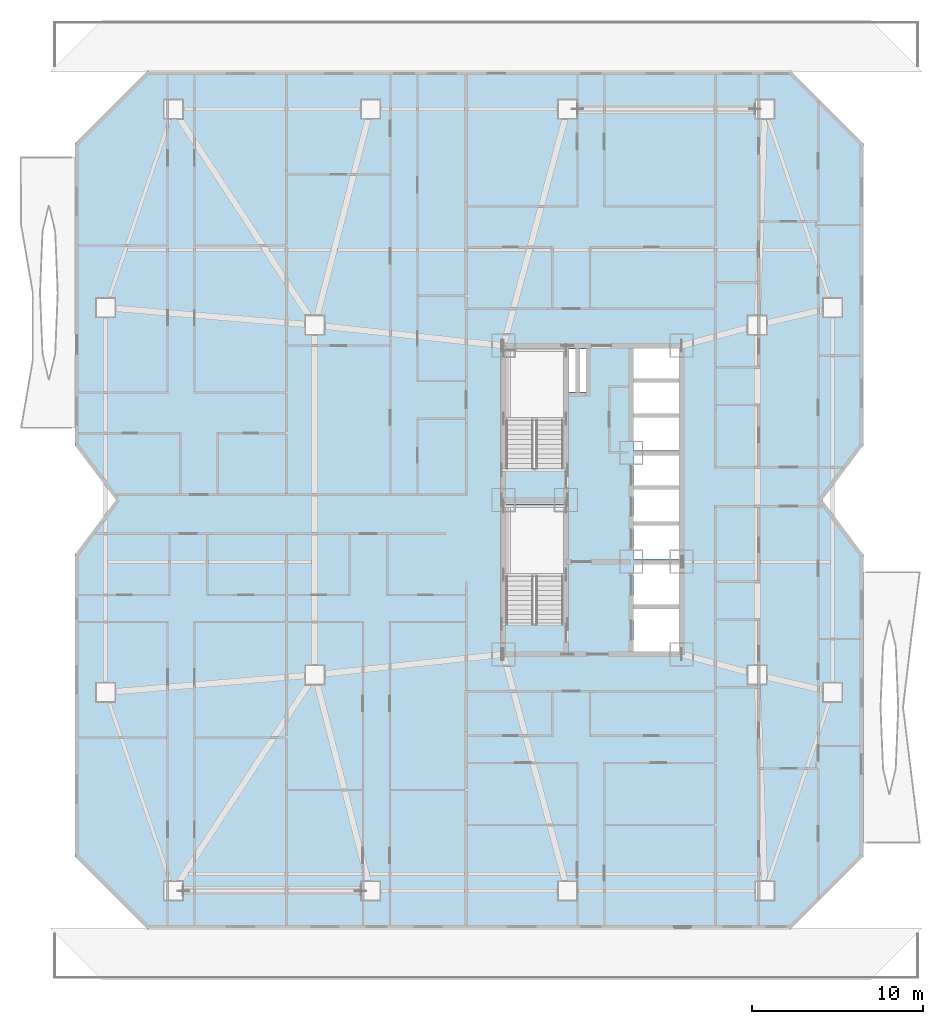
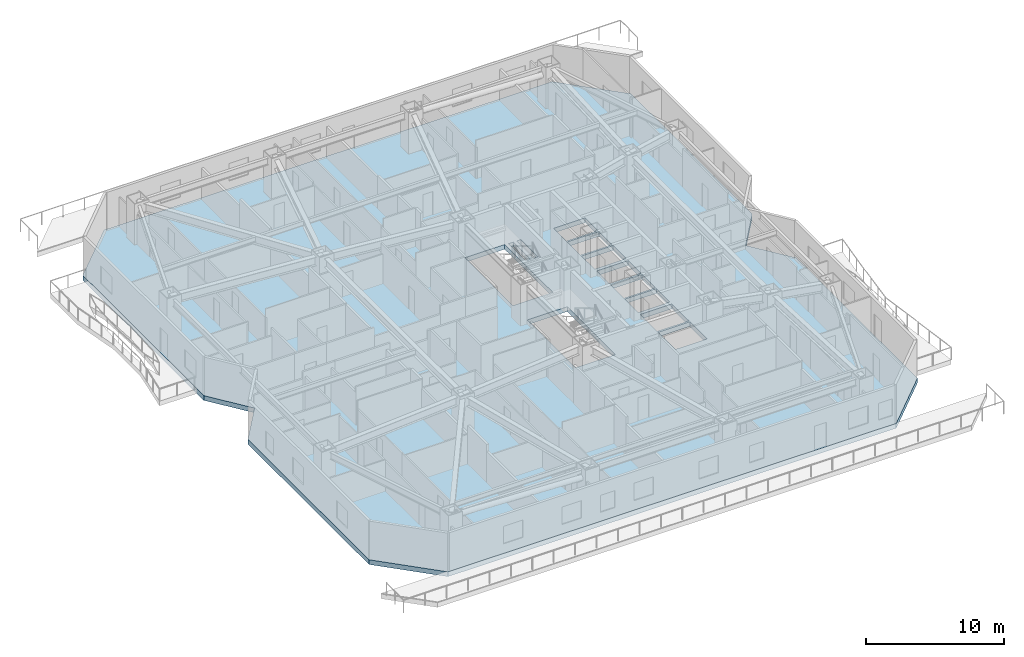
# One storey, part 4 of 18: 1 slab.
"""IFC4 building model written with IfcOpenShell, lengths in metres."""

from ifc_helpers import new_model, si_unit, direction, frame, origin, place, context, subcontext, project, spatial, polyline, outline, extrude, material, layer, layer_set, type_object, element, save


model = new_model("IFC4")

# Units and contexts
model_context = context("Model", 3, precision=1e-05, world=origin(), true_north=direction((0.0, 1.0)))
body_context = subcontext(model_context, "Body", "Model", "MODEL_VIEW")
ifc_project = project(units=[si_unit("LENGTHUNIT", "METRE"), si_unit("AREAUNIT", "SQUARE_METRE"), si_unit("VOLUMEUNIT", "CUBIC_METRE"), si_unit("PLANEANGLEUNIT", "RADIAN"), si_unit("MASSUNIT", "GRAM", prefix="KILO")], contexts=[model_context])

# Site, building, storey
site_placement = place(None, origin())
site = spatial("IfcSite", under=ifc_project, at=site_placement, CompositionType="ELEMENT")
building_placement = place(site_placement, origin())
building = spatial("IfcBuilding", under=site, at=building_placement, Name="Khamvora Tower", CompositionType="ELEMENT")
storey_placement = place(building_placement, frame((0.0, 0.0, 33.300048828125)))
storey = spatial("IfcBuildingStorey", under=building, at=storey_placement, Name="L07", CompositionType="ELEMENT", Elevation=33.300048828125)

# Slab
ifc_material = material(Name="Concrete C40/50", Category="concrete")
ifc_layer = layer(ifc_material, 0.419921875)
ifc_layer_set = layer_set([ifc_layer], Name="Concrete C40/50")
slab_type = type_object("IfcSlabType", Name="SLB-BASE-420", PredefinedType="FLOOR", material=ifc_layer_set)
slab_placement = place(storey_placement, frame((0.0, 0.0, -0.420166015625)))
element("IfcSlab", 1, at=slab_placement, inside=storey, type_object=slab_type, Name="L07 structural floor slab", PredefinedType="FLOOR", context=body_context, shape_type="SweptSolid", body=[
    extrude(outline(polyline([(8.199951171875, 3.0), (45.800048828125, 3.0), (50.0, 7.199951171875), (50.0, 24.800048828125), (47.60009765625, 28.0), (50.0, 31.199951171875), (50.0, 48.800048828125), (45.800048828125, 53.0), (8.199951171875, 53.0), (4.0, 48.800048828125), (4.0, 31.199951171875), (6.39990234375, 28.0), (4.0, 24.800048828125), (4.0, 7.199951171875), (8.199951171875, 3.0)]), holes=[polyline([(32.5, 20.760009765625), (32.5, 27.75), (29.14990234375, 27.75), (29.14990234375, 20.760009765625), (32.5, 20.760009765625)]), polyline([(32.5, 29.860107421875), (32.5, 36.85009765625), (29.14990234375, 36.85009765625), (29.14990234375, 29.860107421875), (32.5, 29.860107421875)]), polyline([(36.60009765625, 19.14990234375), (39.25, 19.14990234375), (39.25, 21.64990234375), (36.60009765625, 21.64990234375), (36.60009765625, 19.14990234375)]), polyline([(36.60009765625, 21.800048828125), (39.25, 21.800048828125), (39.25, 24.25), (36.60009765625, 24.25), (36.60009765625, 21.800048828125)]), polyline([(36.60009765625, 24.550048828125), (39.25, 24.550048828125), (39.25, 26.5), (36.60009765625, 26.5), (36.60009765625, 24.550048828125)]), polyline([(36.60009765625, 26.64990234375), (39.25, 26.64990234375), (39.25, 28.60009765625), (36.60009765625, 28.60009765625), (36.60009765625, 26.64990234375)]), polyline([(36.60009765625, 28.75), (39.25, 28.75), (39.25, 30.60009765625), (36.60009765625, 30.60009765625), (36.60009765625, 28.75)]), polyline([(36.60009765625, 30.89990234375), (39.25, 30.89990234375), (39.25, 32.800048828125), (36.60009765625, 32.800048828125), (36.60009765625, 30.89990234375)]), polyline([(36.60009765625, 32.949951171875), (39.25, 32.949951171875), (39.25, 34.85009765625), (36.60009765625, 34.85009765625), (36.60009765625, 32.949951171875)]), polyline([(36.60009765625, 35.0), (39.25, 35.0), (39.25, 36.85009765625), (36.60009765625, 36.85009765625), (36.60009765625, 35.0)]), polyline([(32.800048828125, 34.300048828125), (33.199951171875, 34.300048828125), (33.199951171875, 36.800048828125), (32.800048828125, 36.800048828125), (32.800048828125, 34.300048828125)]), polyline([(33.47998046875, 34.300048828125), (33.820068359375, 34.300048828125), (33.820068359375, 36.800048828125), (33.47998046875, 36.800048828125), (33.47998046875, 34.300048828125)])]), origin(), (0.0, 0.0, 1.0), 0.420166015625),
])

save(model, "model.ifc")
